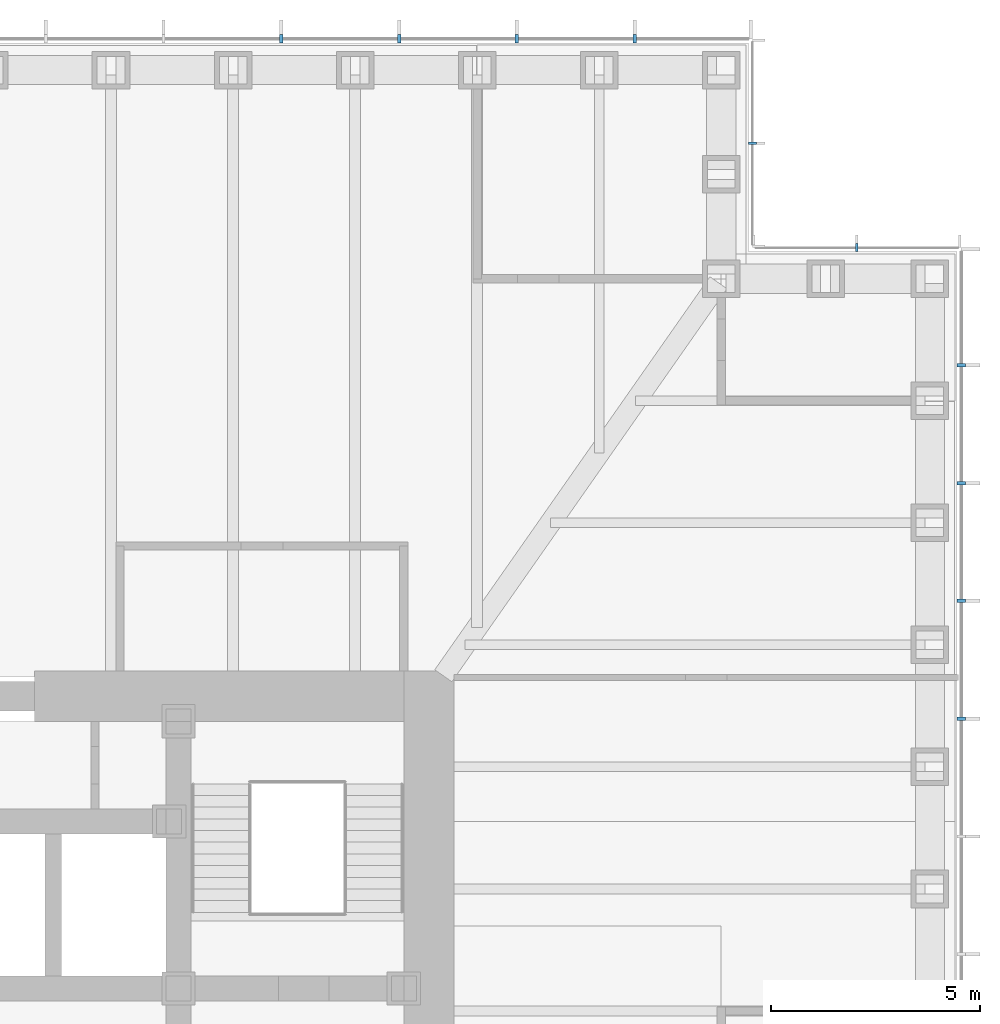
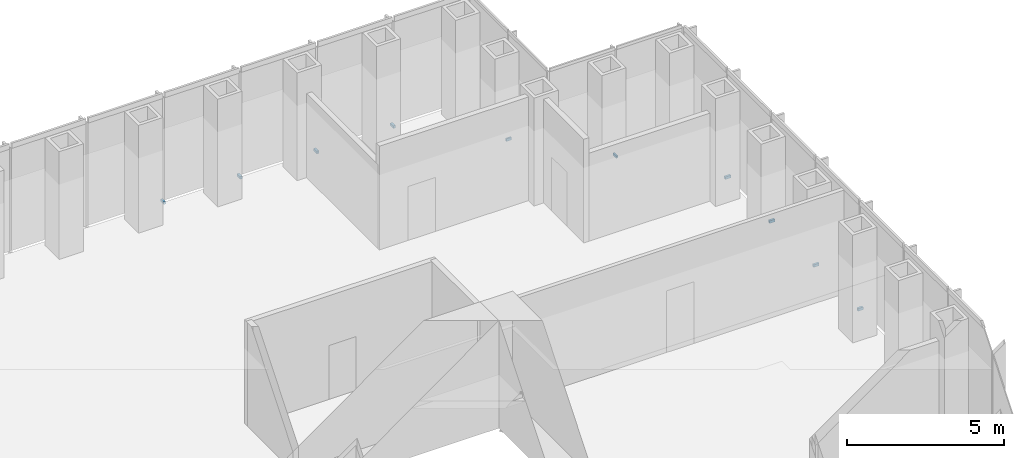
# One storey, part 15 of 16: 10 discrete accessories.
"""IFC4 building model written with IfcOpenShell, lengths in metres."""

from ifc_helpers import new_model, si_unit, direction, frame, origin, origin_2d, place, context, subcontext, project, spatial, rectangle, extrude, element, save


model = new_model("IFC4")

# Units and contexts
model_context = context("Model", 3, precision=1e-05, world=origin(), true_north=direction((0.0, 1.0)))
body_context = subcontext(model_context, "Body", "Model", "MODEL_VIEW")
ifc_project = project(units=[si_unit("LENGTHUNIT", "METRE"), si_unit("AREAUNIT", "SQUARE_METRE"), si_unit("VOLUMEUNIT", "CUBIC_METRE"), si_unit("PLANEANGLEUNIT", "RADIAN"), si_unit("MASSUNIT", "GRAM", prefix="KILO")], contexts=[model_context])

# Site, building, storey
site_placement = place(None, origin())
site = spatial("IfcSite", under=ifc_project, at=site_placement, CompositionType="ELEMENT")
building_placement = place(site_placement, origin())
building = spatial("IfcBuilding", under=site, at=building_placement, Name="Daluyong Arena Tower", CompositionType="ELEMENT")
storey_placement = place(building_placement, frame((0.0, 0.0, 68.5)))
storey = spatial("IfcBuildingStorey", under=building, at=storey_placement, Name="L14", CompositionType="ELEMENT", Elevation=68.5)

# Discrete accessories
for number, where, z_axis, x_axis, name in (
    (1, (80.75, 88.46435546875, -0.10009765625), (0.0, 0.0, 1.0), (0.0, 1.0, 0.0), "curtain wall L14 E anchor bracket 11"),
    (2, (80.75, 91.28564453125, -0.10009765625), (0.0, 0.0, 1.0), (0.0, 1.0, 0.0), "curtain wall L14 E anchor bracket 12"),
    (3, (80.75, 94.107177734375, -0.10009765625), (0.0, 0.0, 1.0), (0.0, 1.0, 0.0), "curtain wall L14 E anchor bracket 13"),
    (4, (80.75, 96.928466796875, -0.10009765625), (0.0, 0.0, 1.0), (0.0, 1.0, 0.0), "curtain wall L14 E anchor bracket 14"),
):
    element("IfcDiscreteAccessory", number, at=place(storey_placement, frame(where, z_axis=z_axis, x_axis=x_axis)), inside=storey, Name=name, PredefinedType="BRACKET", context=body_context, shape_type="SweptSolid", body=[
        extrude(rectangle(XDim=0.080078125, YDim=0.199951171875, at=origin_2d()), origin(), (0.0, 0.0, 1.0), 0.10009765625),
    ])
for number, where, z_axis, x_axis, name in (
    (5, (78.25, 99.75, -0.10009765625), (0.0, 0.0, 1.0), (-1.0, 0.0, 0.0), "curtain wall L14 NE-N anchor bracket 2"),
    (6, (75.75, 102.25, -0.10009765625), (0.0, 0.0, 1.0), (0.0, 1.0, 0.0), "curtain wall L14 NE-E anchor bracket 2"),
):
    element("IfcDiscreteAccessory", number, at=place(storey_placement, frame(where, z_axis=z_axis, x_axis=x_axis)), inside=storey, Name=name, PredefinedType="BRACKET", context=body_context, shape_type="SweptSolid", body=[
        extrude(rectangle(XDim=0.06005859375, YDim=0.199951171875, at=origin_2d()), origin(), (0.0, 0.0, 1.0), 0.10009765625),
    ])
for number, where, z_axis, x_axis, name in (
    (7, (72.928466796875, 104.75, -0.10009765625), (0.0, 0.0, 1.0), (-1.0, 0.0, 0.0), "curtain wall L14 N anchor bracket 2"),
    (8, (70.107177734375, 104.75, -0.10009765625), (0.0, 0.0, 1.0), (-1.0, 0.0, 0.0), "curtain wall L14 N anchor bracket 3"),
    (9, (67.28564453125, 104.75, -0.10009765625), (0.0, 0.0, 1.0), (-1.0, 0.0, 0.0), "curtain wall L14 N anchor bracket 4"),
    (10, (64.46435546875, 104.75, -0.10009765625), (0.0, 0.0, 1.0), (-1.0, 0.0, 0.0), "curtain wall L14 N anchor bracket 5"),
):
    element("IfcDiscreteAccessory", number, at=place(storey_placement, frame(where, z_axis=z_axis, x_axis=x_axis)), inside=storey, Name=name, PredefinedType="BRACKET", context=body_context, shape_type="SweptSolid", body=[
        extrude(rectangle(XDim=0.080078125, YDim=0.199951171875, at=origin_2d()), origin(), (0.0, 0.0, 1.0), 0.10009765625),
    ])

save(model, "model.ifc")
